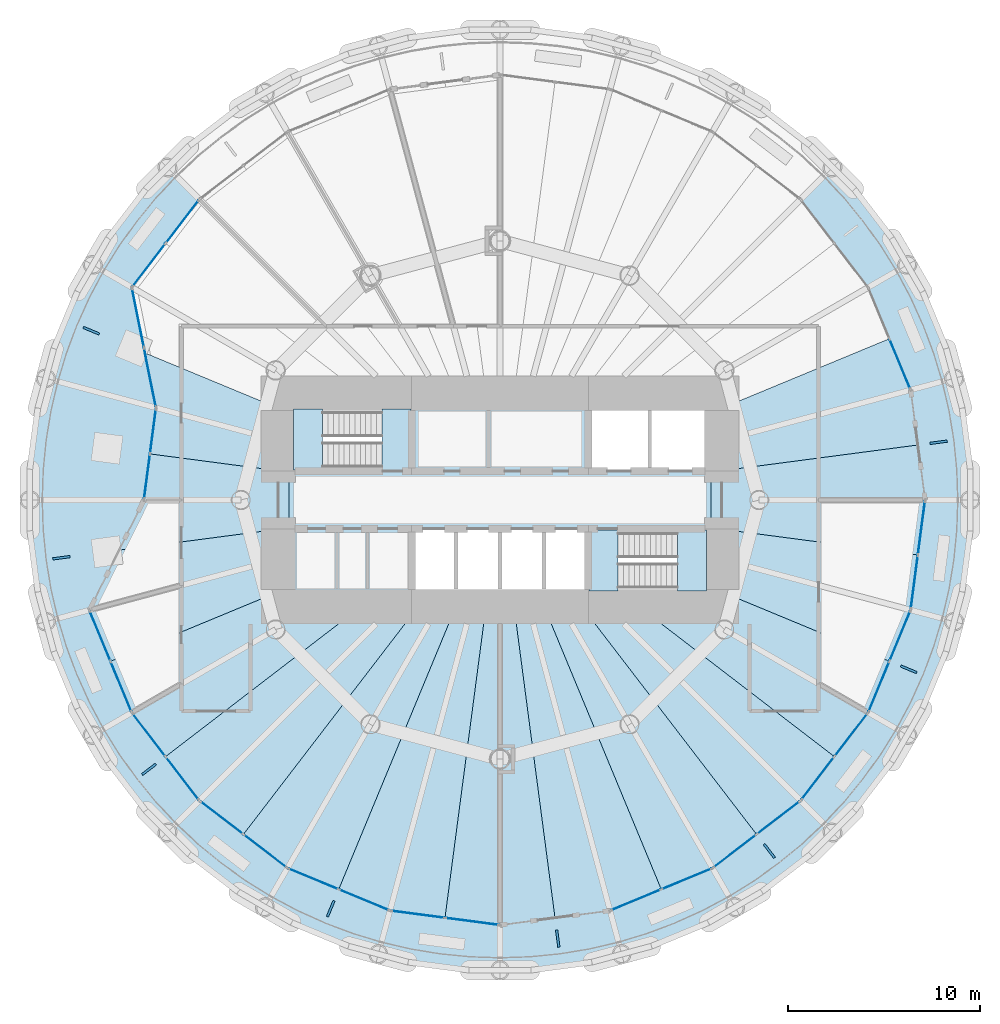
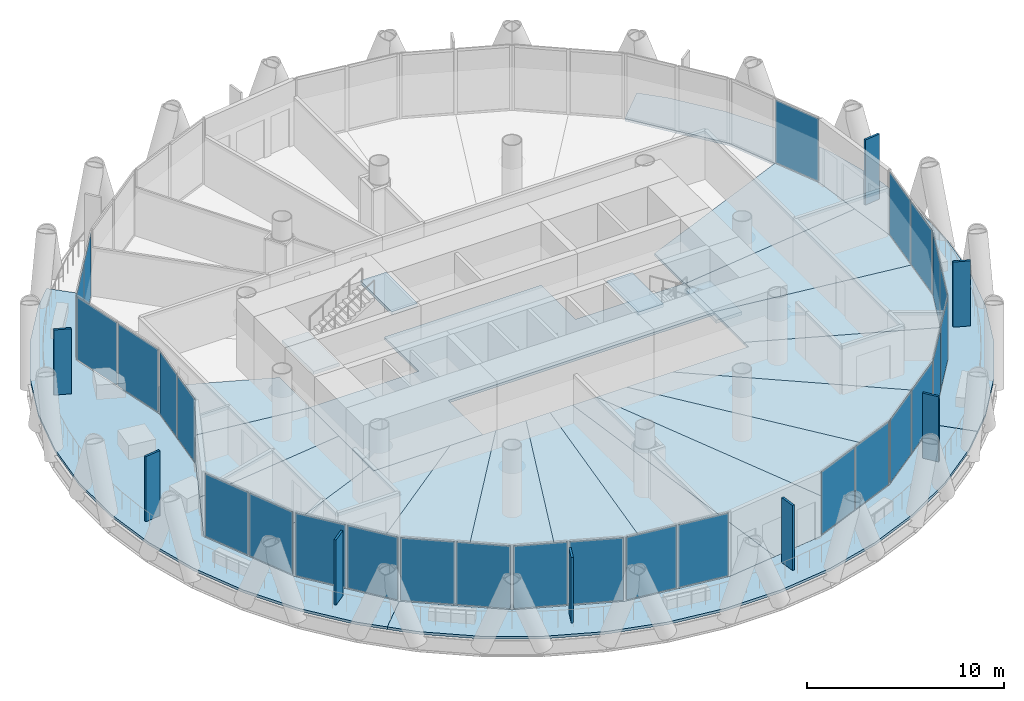
# One storey, part 8 of 16: 35 plates, 23 slabs, 16 elements without a shape of their own.
"""IFC4 building model written with IfcOpenShell, lengths in metres."""

import ifcopenshell
import ifcopenshell.guid

model = None  # the IFC model being written
_history = None  # IfcOwnerHistory: only IFC2X3 demands one
_inside = {}  # id of a spatial element -> (the spatial element, [elements in it])
_under = {}  # id of a project, library or spatial element -> (it, [spatial elements below it])
_declared = {}  # id of a project -> (the project, [libraries it declares])
_typed = {}  # id of a type object -> (the type object, [elements of that type])
_made_of = {}  # id of a material, layer set ... -> (it, [elements and type objects made of it])


def new_model(schema):
    """Start an empty IFC model of exactly this schema.

    Asked for "IFC4X3", IfcOpenShell would pick the latest addendum, in which some entities
    have other attributes; the version numbers below select the first issue.
    IFC2X3 requires an IfcOwnerHistory on every rooted entity: one is made here for all.
    """
    global model, _history
    if schema == "IFC4X3":
        model = ifcopenshell.file(schema_version=(4, 3, 0, 0))
    else:
        model = ifcopenshell.file(schema=schema)
    _inside.clear()
    _under.clear()
    _declared.clear()
    _typed.clear()
    _made_of.clear()
    _history = None
    if model.schema == "IFC2X3":
        org = make("IfcOrganization", Name="unknown")
        user = make(
            "IfcPersonAndOrganization",
            ThePerson=make("IfcPerson", FamilyName="unknown"),
            TheOrganization=org,
        )
        app = make(
            "IfcApplication",
            ApplicationDeveloper=org,
            Version="unknown",
            ApplicationFullName="unknown",
            ApplicationIdentifier="unknown",
        )
        _history = make(
            "IfcOwnerHistory",
            OwningUser=user,
            OwningApplication=app,
            ChangeAction="ADDED",
            CreationDate=0,
        )
    return model


def make(cls, **values):
    """One entity of the class cls with the attributes given. An attribute that is None is left unset."""
    return model.create_entity(
        cls, **{name: value for name, value in values.items() if value is not None}
    )


def rooted(cls, **values):
    """An entity with a GlobalId (a new one), such as an element, a storey or a relation."""
    return make(cls, GlobalId=ifcopenshell.guid.new(), OwnerHistory=_history, **values)


def si_unit(unit_type, name, prefix=None):
    """IfcSIUnit, for example si_unit("LENGTHUNIT", "METRE", prefix="MILLI")."""
    return make("IfcSIUnit", UnitType=unit_type, Prefix=prefix, Name=name)


def assignment(units):
    """IfcUnitAssignment: the units of a project."""
    return None if units is None else make("IfcUnitAssignment", Units=units)


def point(xyz):
    """IfcCartesianPoint."""
    return None if xyz is None else make("IfcCartesianPoint", Coordinates=xyz)


def direction(xyz):
    """IfcDirection."""
    return None if xyz is None else make("IfcDirection", DirectionRatios=xyz)


def frame(location, z_axis=None, x_axis=None):
    """IfcAxis2Placement3D, a coordinate frame: its origin and axes. An axis left out is left unset."""
    return make(
        "IfcAxis2Placement3D",
        Location=point(location),
        Axis=direction(z_axis),
        RefDirection=direction(x_axis),
    )


def frame_2d(location, x_axis=None):
    """IfcAxis2Placement2D, a coordinate frame in the plane: its origin and x axis."""
    return make(
        "IfcAxis2Placement2D", Location=point(location), RefDirection=direction(x_axis)
    )


def origin():
    """The frame at (0, 0, 0) with its axes left unset."""
    return frame((0.0, 0.0, 0.0))


def origin_2d():
    """The frame at (0, 0) in the plane with its x axis left unset."""
    return frame_2d((0.0, 0.0))


def place(relative_to, where):
    """IfcLocalPlacement: puts the frame where relative to a parent placement (None: the world)."""
    return make(
        "IfcLocalPlacement", PlacementRelTo=relative_to, RelativePlacement=where
    )


def context(
    kind, dimensions, precision=None, world=None, true_north=None, identifier=None
):
    """IfcGeometricRepresentationContext, for example the 3D "Model" context."""
    return make(
        "IfcGeometricRepresentationContext",
        ContextIdentifier=identifier,
        ContextType=kind,
        CoordinateSpaceDimension=dimensions,
        Precision=precision,
        WorldCoordinateSystem=world,
        TrueNorth=true_north,
    )


def subcontext(parent, identifier, kind, view, scale=None):
    """IfcGeometricRepresentationSubContext, for example "Body" below "Model"."""
    return make(
        "IfcGeometricRepresentationSubContext",
        ContextIdentifier=identifier,
        ContextType=kind,
        ParentContext=parent,
        TargetScale=scale,
        TargetView=view,
    )


def project(units=None, contexts=None):
    """IfcProject with its units and contexts."""
    return rooted(
        "IfcProject",
        Name="project",
        RepresentationContexts=contexts,
        UnitsInContext=assignment(units),
    )


def spatial(cls, under=None, at=None, **own):
    """A site, building, storey or space (cls), placed at a placement, below another one or the project."""
    s = rooted(cls, ObjectPlacement=at, **own)
    if under is not None:
        _under.setdefault(under.id(), (under, []))[1].append(s)
    return s


def polyline(points):
    """IfcPolyline through the points."""
    return make("IfcPolyline", Points=[point(p) for p in points])


def profile(cls, at=None, kind="AREA", **sizes):
    """A parametric profile (cls). Its sizes go by their IFC names, for example OverallWidth=200.0."""
    return make(cls, ProfileType=kind, Position=at, **sizes)


def rectangle(**sizes):
    """IfcRectangleProfileDef."""
    return profile("IfcRectangleProfileDef", **sizes)


def outline(outer, holes=None, kind="AREA"):
    """IfcArbitraryClosedProfileDef: a profile drawn as a closed curve; with holes, ...WithVoids."""
    if holes is None:
        return make("IfcArbitraryClosedProfileDef", ProfileType=kind, OuterCurve=outer)
    return make(
        "IfcArbitraryProfileDefWithVoids",
        ProfileType=kind,
        OuterCurve=outer,
        InnerCurves=holes,
    )


def extrude(swept, where, along, depth):
    """IfcExtrudedAreaSolid: the profile swept, set in the frame where, extruded along a direction by depth."""
    return make(
        "IfcExtrudedAreaSolid",
        SweptArea=swept,
        Position=where,
        ExtrudedDirection=direction(along),
        Depth=depth,
    )


def shape(context_of_items, identifier, shape_type, items):
    """IfcShapeRepresentation: the items that make up one representation, for example the "Body"."""
    return make(
        "IfcShapeRepresentation",
        ContextOfItems=context_of_items,
        RepresentationIdentifier=identifier,
        RepresentationType=shape_type,
        Items=items,
    )


def material(Name=None, Category=None):
    """IfcMaterial."""
    return make("IfcMaterial", Name=Name, Category=Category)


def layer(
    of_material, thickness, ventilated=None, Name=None, Category=None, Priority=None
):
    """IfcMaterialLayer: one layer of a wall or slab, of a material (None: an air gap)."""
    return make(
        "IfcMaterialLayer",
        Material=of_material,
        LayerThickness=thickness,
        IsVentilated=ventilated,
        Name=Name,
        Category=Category,
        Priority=Priority,
    )


def layer_set(layers, Name=None):
    """IfcMaterialLayerSet."""
    return make("IfcMaterialLayerSet", MaterialLayers=layers, LayerSetName=Name)


def made_of(thing, what):
    """Note that an element or type object is made of a material, layer set ...; save() writes the relation."""
    if what is not None:
        _made_of.setdefault(what.id(), (what, []))[1].append(thing)
    return thing


def type_object(cls, material=None, **own):
    """A type object (cls), such as IfcWallType, which elements share."""
    return made_of(rooted(cls, **own), material)


def element(
    cls,
    number,
    at=None,
    inside=None,
    cuts=None,
    type_object=None,
    material=None,
    context=None,
    identifier="Body",
    shape_type=None,
    held_by="IfcProductDefinitionShape",
    body=None,
    shapes=None,
    **own,
):
    """One element of the class cls, such as IfcWall. Its Tag is "e" and its number.

    at: its placement. inside: the storey or other place that contains it. cuts: it is an
    opening in that element (IfcRelVoidsElement). A single representation is given by context,
    identifier, shape_type and body (its items); several are given by shapes. held_by: the class
    of the entity that holds the representations. save() writes the other relations.
    """
    e = rooted(cls, Tag="e%d" % number, ObjectPlacement=at, **own)
    if body is not None:
        shapes = [shape(context, identifier, shape_type, body)]
    if shapes is not None:
        e.Representation = make(held_by, Representations=shapes)
    if inside is not None:
        _inside.setdefault(inside.id(), (inside, []))[1].append(e)
    if cuts is not None:
        rooted(
            "IfcRelVoidsElement", RelatingBuildingElement=cuts, RelatedOpeningElement=e
        )
    if type_object is not None:
        _typed.setdefault(type_object.id(), (type_object, []))[1].append(e)
    return made_of(e, material)


def aggregate(whole, parts):
    """IfcRelAggregates: a whole, such as a stair, and the parts it consists of."""
    return rooted("IfcRelAggregates", RelatingObject=whole, RelatedObjects=parts)


def save(model, path):
    """Write the relations noted so far, then the file.

    IfcRelAggregates (storeys below a building ...), IfcRelContainedInSpatialStructure (elements
    in a storey), IfcRelDefinesByType, IfcRelAssociatesMaterial and IfcRelDeclares: one each for
    every whole, place, type object, material and project.
    """
    for whole, parts in _under.values():
        aggregate(whole, parts)
    for where, things in _inside.values():
        rooted(
            "IfcRelContainedInSpatialStructure",
            RelatedElements=things,
            RelatingStructure=where,
        )
    for kind, things in _typed.values():
        rooted("IfcRelDefinesByType", RelatedObjects=things, RelatingType=kind)
    for what, things in _made_of.values():
        rooted("IfcRelAssociatesMaterial", RelatedObjects=things, RelatingMaterial=what)
    for by, libraries in _declared.values():
        rooted("IfcRelDeclares", RelatingContext=by, RelatedDefinitions=libraries)
    model.write(path)


model = new_model("IFC4")

# Units and contexts
model_context = context("Model", 3, precision=1e-05, world=origin(), true_north=direction((0.0, 1.0)))
body_context = subcontext(model_context, "Body", "Model", "MODEL_VIEW")
ifc_project = project(units=[si_unit("LENGTHUNIT", "METRE"), si_unit("AREAUNIT", "SQUARE_METRE"), si_unit("VOLUMEUNIT", "CUBIC_METRE"), si_unit("PLANEANGLEUNIT", "RADIAN"), si_unit("MASSUNIT", "GRAM", prefix="KILO")], contexts=[model_context])

# Site, building, storey
site_placement = place(None, origin())
site = spatial("IfcSite", under=ifc_project, at=site_placement, CompositionType="ELEMENT")
building_placement = place(site_placement, origin())
building = spatial("IfcBuilding", under=site, at=building_placement, Name="Qaws Media Tower", CompositionType="ELEMENT")
storey_placement = place(building_placement, frame((0.0, 0.0, 173.0)))
storey = spatial("IfcBuildingStorey", under=building, at=storey_placement, Name="L39", CompositionType="ELEMENT", Elevation=173.0)

# Slabs
ifc_material_1 = material(Name="Concrete C35/45", Category="concrete")
ifc_layer_1 = layer(ifc_material_1, 0.159912109375)
ifc_layer_set_1 = layer_set([ifc_layer_1], Name="Composite balcony slab 160")
slab_type_1 = type_object("IfcSlabType", Name="Composite balcony slab 160", PredefinedType="FLOOR", material=ifc_layer_set_1)
slab_1_placement = place(storey_placement, frame((0.0, 0.0, -0.159912109375)))
element("IfcSlab", 1, at=slab_1_placement, inside=storey, type_object=slab_type_1, Name="S2 balcony slab L39 R10 to R16, movement joints on R10 and R16", PredefinedType="FLOOR", context=body_context, shape_type="SweptSolid", body=[
    extrude(outline(polyline([(41.542236328125, 33.81298828125), (39.58740234375, 36.36083984375), (37.981689453125, 39.141845703125), (36.7529296875, 42.108642578125), (35.921630859375, 45.21044921875), (35.502685546875, 48.394287109375), (35.502685546875, 51.605712890625), (35.921630859375, 54.78955078125), (36.7529296875, 57.891357421875), (37.981689453125, 60.858154296875), (39.58740234375, 63.63916015625), (41.542236328125, 66.18701171875), (42.677734375, 67.322265625), (44.337646484375, 65.662353515625), (40.8173828125, 61.074951171875), (42.08203125, 54.801025390625), (41.449951171875, 50.0), (38.604736328125, 44.26708984375), (40.8173828125, 38.925048828125), (44.337646484375, 34.337646484375), (42.677734375, 32.677734375), (41.542236328125, 33.81298828125)])), origin(), (0.0, 0.0, 1.0), 0.159912109375),
])
slab_2_placement = place(storey_placement, frame((0.0, 0.0, -0.159912109375)))
element("IfcSlab", 2, at=slab_2_placement, inside=storey, type_object=slab_type_1, Name="S2 balcony slab L39 R16 to R22, movement joints on R16 and R22", PredefinedType="FLOOR", context=body_context, shape_type="SweptSolid", body=[
    extrude(outline(polyline([(76.18701171875, 31.542236328125), (73.63916015625, 29.58740234375), (70.858154296875, 27.981689453125), (67.891357421875, 26.7529296875), (64.78955078125, 25.921630859375), (61.605712890625, 25.502685546875), (58.394287109375, 25.502685546875), (55.21044921875, 25.921630859375), (52.108642578125, 26.7529296875), (49.141845703125, 27.981689453125), (46.36083984375, 29.58740234375), (43.81298828125, 31.542236328125), (42.677734375, 32.677734375), (44.337646484375, 34.337646484375), (48.925048828125, 30.8173828125), (54.26708984375, 28.604736328125), (60.0, 27.85009765625), (65.73291015625, 28.604736328125), (71.074951171875, 30.8173828125), (75.662353515625, 34.337646484375), (77.322265625, 32.677734375), (76.18701171875, 31.542236328125)])), origin(), (0.0, 0.0, 1.0), 0.159912109375),
])
slab_3_placement = place(storey_placement, frame((0.0, 0.0, -0.159912109375)))
element("IfcSlab", 3, at=slab_3_placement, inside=storey, type_object=slab_type_1, Name="S2 balcony slab L39 R22 to R04, movement joints on R22 and R04", PredefinedType="FLOOR", context=body_context, shape_type="SweptSolid", body=[
    extrude(outline(polyline([(84.078369140625, 45.21044921875), (83.2470703125, 42.108642578125), (82.018310546875, 39.141845703125), (80.41259765625, 36.36083984375), (78.457763671875, 33.81298828125), (77.322265625, 32.677734375), (75.662353515625, 34.337646484375), (79.1826171875, 38.925048828125), (81.395263671875, 44.26708984375), (82.14990234375, 50.0), (81.395263671875, 55.73291015625), (79.1826171875, 61.074951171875), (75.662353515625, 65.662353515625), (77.322265625, 67.322265625), (78.457763671875, 66.18701171875), (80.41259765625, 63.63916015625), (82.018310546875, 60.858154296875), (83.2470703125, 57.891357421875), (84.078369140625, 54.78955078125), (84.497314453125, 51.605712890625), (84.497314453125, 48.394287109375), (84.078369140625, 45.21044921875)])), origin(), (0.0, 0.0, 1.0), 0.159912109375),
])
ifc_material_2 = material(Name="Concrete C35/45", Category="concrete")
ifc_layer_2 = layer(ifc_material_2, 0.159912109375)
ifc_layer_set_2 = layer_set([ifc_layer_2], Name="Composite floor slab 160")
slab_type_2 = type_object("IfcSlabType", Name="Composite floor slab 160", PredefinedType="FLOOR", material=ifc_layer_set_2)
slab_4_placement = place(storey_placement, frame((0.0, 0.0, -0.159912109375)))
element("IfcSlab", 4, at=slab_4_placement, inside=storey, type_object=slab_type_2, Name="S1 core floor slab L39", PredefinedType="FLOOR", context=body_context, shape_type="SweptSolid", body=[
    extrude(outline(polyline([(71.0, 51.5), (71.0, 48.5), (55.39990234375, 48.5), (55.39990234375, 45.0), (49.0, 45.0), (49.0, 51.5), (55.39990234375, 51.5), (55.39990234375, 55.0), (64.60009765625, 55.0), (64.60009765625, 51.5), (71.0, 51.5)])), origin(), (0.0, 0.0, 1.0), 0.159912109375),
])
slab_5_placement = place(storey_placement, frame((0.0, 0.0, -0.159912109375)))
element("IfcSlab", 5, at=slab_5_placement, inside=storey, type_object=slab_type_2, Name="S1 floor panel L39 on R01", PredefinedType="FLOOR", context=body_context, shape_type="SweptSolid", body=[
    extrude(outline(polyline([(82.14990234375, 50.0), (81.772705078125, 47.133544921875), (71.0, 48.5517578125), (71.0, 51.4482421875), (81.772705078125, 52.866455078125), (82.14990234375, 50.0)])), origin(), (0.0, 0.0, 1.0), 0.159912109375),
])
slab_6_placement = place(storey_placement, frame((0.0, 0.0, -0.159912109375)))
element("IfcSlab", 6, at=slab_6_placement, inside=storey, type_object=slab_type_2, Name="S1 floor panel L39 on R02", PredefinedType="FLOOR", context=body_context, shape_type="SweptSolid", body=[
    extrude(outline(polyline([(81.395263671875, 55.73291015625), (81.772705078125, 52.866455078125), (71.0, 51.4482421875), (71.0, 54.556396484375), (80.288818359375, 58.40380859375), (81.395263671875, 55.73291015625)])), origin(), (0.0, 0.0, 1.0), 0.159912109375),
])
slab_7_placement = place(storey_placement, frame((0.0, 0.0, -0.159912109375)))
element("IfcSlab", 7, at=slab_7_placement, inside=storey, type_object=slab_type_2, Name="S1 floor panel L39 on R12", PredefinedType="FLOOR", context=body_context, shape_type="SweptSolid", body=[
    extrude(outline(polyline([(42.08203125, 54.801025390625), (41.505615234375, 57.66064453125), (49.0, 54.556396484375), (49.0, 51.4482421875), (41.76611328125, 52.400390625), (42.08203125, 54.801025390625)])), origin(), (0.0, 0.0, 1.0), 0.159912109375),
])
slab_8_placement = place(storey_placement, frame((0.0, 0.0, -0.159912109375)))
element("IfcSlab", 8, at=slab_8_placement, inside=storey, type_object=slab_type_2, Name="S1 floor panel L39 on R13", PredefinedType="FLOOR", context=body_context, shape_type="SweptSolid", body=[
    extrude(outline(polyline([(41.449951171875, 50.0), (41.76611328125, 52.400390625), (49.0, 51.4482421875), (49.0, 48.5517578125), (40.1533203125, 47.38720703125), (41.449951171875, 50.0)])), origin(), (0.0, 0.0, 1.0), 0.159912109375),
])
slab_9_placement = place(storey_placement, frame((0.0, 0.0, -0.159912109375)))
element("IfcSlab", 9, at=slab_9_placement, inside=storey, type_object=slab_type_2, Name="S1 floor panel L39 on R14", PredefinedType="FLOOR", context=body_context, shape_type="SweptSolid", body=[
    extrude(outline(polyline([(38.604736328125, 44.26708984375), (40.1533203125, 47.38720703125), (49.0, 48.5517578125), (49.0, 45.443603515625), (39.711181640625, 41.59619140625), (38.604736328125, 44.26708984375)])), origin(), (0.0, 0.0, 1.0), 0.159912109375),
])
slab_10_placement = place(storey_placement, frame((0.0, 0.0, -0.159912109375)))
element("IfcSlab", 10, at=slab_10_placement, inside=storey, type_object=slab_type_2, Name="S1 floor panel L39 on R15", PredefinedType="FLOOR", context=body_context, shape_type="SweptSolid", body=[
    extrude(outline(polyline([(40.8173828125, 38.925048828125), (39.711181640625, 41.59619140625), (49.0, 45.443603515625), (49.0, 45.0), (53.48388671875, 45.0), (42.57763671875, 36.63134765625), (40.8173828125, 38.925048828125)])), origin(), (0.0, 0.0, 1.0), 0.159912109375),
])
slab_11_placement = place(storey_placement, frame((0.0, 0.0, -0.159912109375)))
element("IfcSlab", 11, at=slab_11_placement, inside=storey, type_object=slab_type_2, Name="S1 floor panel L39 on R16", PredefinedType="FLOOR", context=body_context, shape_type="SweptSolid", body=[
    extrude(outline(polyline([(44.337646484375, 34.337646484375), (42.57763671875, 36.63134765625), (53.48388671875, 45.0), (56.163330078125, 45.0), (46.63134765625, 32.57763671875), (44.337646484375, 34.337646484375)])), origin(), (0.0, 0.0, 1.0), 0.159912109375),
])
slab_12_placement = place(storey_placement, frame((0.0, 0.0, -0.159912109375)))
element("IfcSlab", 12, at=slab_12_placement, inside=storey, type_object=slab_type_2, Name="S1 floor panel L39 on R17", PredefinedType="FLOOR", context=body_context, shape_type="SweptSolid", body=[
    extrude(outline(polyline([(48.925048828125, 30.8173828125), (46.63134765625, 32.57763671875), (56.163330078125, 45.0), (57.928955078125, 45.0), (51.59619140625, 29.711181640625), (48.925048828125, 30.8173828125)])), origin(), (0.0, 0.0, 1.0), 0.159912109375),
])
slab_13_placement = place(storey_placement, frame((0.0, 0.0, -0.159912109375)))
element("IfcSlab", 13, at=slab_13_placement, inside=storey, type_object=slab_type_2, Name="S1 floor panel L39 on R18", PredefinedType="FLOOR", context=body_context, shape_type="SweptSolid", body=[
    extrude(outline(polyline([(54.26708984375, 28.604736328125), (51.59619140625, 29.711181640625), (57.928955078125, 45.0), (59.341796875, 45.0), (57.133544921875, 28.227294921875), (54.26708984375, 28.604736328125)])), origin(), (0.0, 0.0, 1.0), 0.159912109375),
])
slab_14_placement = place(storey_placement, frame((0.0, 0.0, -0.159912109375)))
element("IfcSlab", 14, at=slab_14_placement, inside=storey, type_object=slab_type_2, Name="S1 floor panel L39 on R19", PredefinedType="FLOOR", context=body_context, shape_type="SweptSolid", body=[
    extrude(outline(polyline([(60.0, 27.85009765625), (57.133544921875, 28.227294921875), (59.341796875, 45.0), (60.658203125, 45.0), (62.866455078125, 28.227294921875), (60.0, 27.85009765625)])), origin(), (0.0, 0.0, 1.0), 0.159912109375),
])
slab_15_placement = place(storey_placement, frame((0.0, 0.0, -0.159912109375)))
element("IfcSlab", 15, at=slab_15_placement, inside=storey, type_object=slab_type_2, Name="S1 floor panel L39 on R20", PredefinedType="FLOOR", context=body_context, shape_type="SweptSolid", body=[
    extrude(outline(polyline([(65.73291015625, 28.604736328125), (62.866455078125, 28.227294921875), (60.658203125, 45.0), (62.071044921875, 45.0), (68.40380859375, 29.711181640625), (65.73291015625, 28.604736328125)])), origin(), (0.0, 0.0, 1.0), 0.159912109375),
])
slab_16_placement = place(storey_placement, frame((0.0, 0.0, -0.159912109375)))
element("IfcSlab", 16, at=slab_16_placement, inside=storey, type_object=slab_type_2, Name="S1 floor panel L39 on R21", PredefinedType="FLOOR", context=body_context, shape_type="SweptSolid", body=[
    extrude(outline(polyline([(71.074951171875, 30.8173828125), (68.40380859375, 29.711181640625), (62.071044921875, 45.0), (63.836669921875, 45.0), (73.36865234375, 32.57763671875), (71.074951171875, 30.8173828125)])), origin(), (0.0, 0.0, 1.0), 0.159912109375),
])
slab_17_placement = place(storey_placement, frame((0.0, 0.0, -0.159912109375)))
element("IfcSlab", 17, at=slab_17_placement, inside=storey, type_object=slab_type_2, Name="S1 floor panel L39 on R22", PredefinedType="FLOOR", context=body_context, shape_type="SweptSolid", body=[
    extrude(outline(polyline([(75.662353515625, 34.337646484375), (73.36865234375, 32.57763671875), (63.836669921875, 45.0), (66.51611328125, 45.0), (77.42236328125, 36.63134765625), (75.662353515625, 34.337646484375)])), origin(), (0.0, 0.0, 1.0), 0.159912109375),
])
slab_18_placement = place(storey_placement, frame((0.0, 0.0, -0.159912109375)))
element("IfcSlab", 18, at=slab_18_placement, inside=storey, type_object=slab_type_2, Name="S1 floor panel L39 on R23", PredefinedType="FLOOR", context=body_context, shape_type="SweptSolid", body=[
    extrude(outline(polyline([(79.1826171875, 38.925048828125), (77.42236328125, 36.63134765625), (66.51611328125, 45.0), (71.0, 45.0), (71.0, 45.443603515625), (80.288818359375, 41.59619140625), (79.1826171875, 38.925048828125)])), origin(), (0.0, 0.0, 1.0), 0.159912109375),
])
slab_19_placement = place(storey_placement, frame((0.0, 0.0, -0.159912109375)))
element("IfcSlab", 19, at=slab_19_placement, inside=storey, type_object=slab_type_2, Name="S1 floor panel L39 on R24", PredefinedType="FLOOR", context=body_context, shape_type="SweptSolid", body=[
    extrude(outline(polyline([(80.288818359375, 41.59619140625), (71.0, 45.443603515625), (71.0, 48.5517578125), (81.772705078125, 47.133544921875), (81.395263671875, 44.26708984375), (80.288818359375, 41.59619140625)])), origin(), (0.0, 0.0, 1.0), 0.159912109375),
])

# Curtain wall, plate
ifc_material_3 = material(Name="Aluminium and clear glass", Category="aluminium")
curtain_wall_type_1 = type_object("IfcCurtainWallType", Name="Unitised curtain wall CW-B", PredefinedType="NOTDEFINED", material=ifc_material_3)
curtain_wall_1_placement = place(storey_placement, origin())
curtain_wall_1 = element("IfcCurtainWall", 20, at=curtain_wall_1_placement, inside=storey, type_object=curtain_wall_type_1, Name="CWB curtain wall L39-02", PredefinedType="NOTDEFINED")
ifc_material_4 = material(Name="Clear laminated double glazing", Category="glass")
ifc_layer_3 = layer(ifc_material_4, 0.031982421875)
ifc_layer_set_3 = layer_set([ifc_layer_3], Name="Curtain wall glass unit 32")
plate_type_1 = type_object("IfcPlateType", Name="Curtain wall glass unit 32", PredefinedType="CURTAIN_PANEL", material=ifc_layer_set_3)
plate_1_placement = place(storey_placement, frame((80.83447265625, 57.0869140625, 0.080078125), z_axis=(0.0, 0.0, 1.0), x_axis=(-0.382683388683, 0.923879550605, 0.0)))
plate_1 = element("IfcPlate", 21, at=plate_1_placement, type_object=plate_type_1, Name="CWB panel 1.1", PredefinedType="CURTAIN_PANEL", context=body_context, shape_type="SweptSolid", body=[
    extrude(rectangle(XDim=2.771240234375, YDim=0.031982421875, at=origin_2d()), origin(), (0.0, 0.0, 1.0), 3.8798828125),
])
aggregate(curtain_wall_1, [plate_1])

# Curtain wall, plates
curtain_wall_2_placement = place(storey_placement, origin())
curtain_wall_2 = element("IfcCurtainWall", 22, at=curtain_wall_2_placement, inside=storey, type_object=curtain_wall_type_1, Name="CWB curtain wall L39-10", PredefinedType="NOTDEFINED")
plate_2_placement = place(storey_placement, frame((43.4453125, 64.499755859375, 0.080078125), z_axis=(0.0, 0.0, 1.0), x_axis=(-0.60876150144, -0.793353284712, 0.0)))
plate_2 = element("IfcPlate", 23, at=plate_2_placement, type_object=plate_type_1, Name="CWB panel 1.1", PredefinedType="CURTAIN_PANEL", context=body_context, shape_type="SweptSolid", body=[
    extrude(rectangle(XDim=2.771240234375, YDim=0.031982421875, at=origin_2d()), origin(), (0.0, 0.0, 1.0), 3.8798828125),
])
plate_3_placement = place(storey_placement, frame((41.709716796875, 62.23779296875, 0.080078125), z_axis=(0.0, 0.0, 1.0), x_axis=(-0.60876150144, -0.793353284712, 0.0)))
plate_3 = element("IfcPlate", 24, at=plate_3_placement, type_object=plate_type_1, Name="CWB panel 2.1", PredefinedType="CURTAIN_PANEL", context=body_context, shape_type="SweptSolid", body=[
    extrude(rectangle(XDim=2.771240234375, YDim=0.031982421875, at=origin_2d()), origin(), (0.0, 0.0, 1.0), 3.8798828125),
])
aggregate(curtain_wall_2, [plate_2, plate_3])

ifc_material_5 = material(Name="Aluminium and clear glass", Category="aluminium")
curtain_wall_type_2 = type_object("IfcCurtainWallType", Name="Loggia curtain wall CW-G", PredefinedType="NOTDEFINED", material=ifc_material_5)
curtain_wall_3_placement = place(storey_placement, origin())
curtain_wall_3 = element("IfcCurtainWall", 25, at=curtain_wall_3_placement, inside=storey, type_object=curtain_wall_type_2, Name="CWG curtain wall L39-11", PredefinedType="NOTDEFINED")
plate_4_placement = place(storey_placement, frame((41.1376953125, 59.48681640625, 0.080078125), z_axis=(0.0, 0.0, 1.0), x_axis=(0.197581884235, -0.980286386227, 0.0)))
plate_4 = element("IfcPlate", 26, at=plate_4_placement, type_object=plate_type_1, Name="CWG panel 1.1", PredefinedType="CURTAIN_PANEL", context=body_context, shape_type="SweptSolid", body=[
    extrude(rectangle(XDim=3.080078125, YDim=0.031982421875, at=origin_2d()), origin(), (0.0, 0.0, 1.0), 3.8798828125),
])
plate_5_placement = place(storey_placement, frame((41.761962890625, 56.38916015625, 0.080078125), z_axis=(0.0, 0.0, 1.0), x_axis=(0.197581884235, -0.980286386227, 0.0)))
plate_5 = element("IfcPlate", 27, at=plate_5_placement, type_object=plate_type_1, Name="CWG panel 2.1", PredefinedType="CURTAIN_PANEL", context=body_context, shape_type="SweptSolid", body=[
    extrude(rectangle(XDim=3.080078125, YDim=0.031982421875, at=origin_2d()), origin(), (0.0, 0.0, 1.0), 3.8798828125),
])
aggregate(curtain_wall_3, [plate_4, plate_5])

curtain_wall_4_placement = place(storey_placement, origin())
curtain_wall_4 = element("IfcCurtainWall", 28, at=curtain_wall_4_placement, inside=storey, type_object=curtain_wall_type_2, Name="CWG curtain wall L39-12", PredefinedType="NOTDEFINED")
plate_6_placement = place(storey_placement, frame((41.92138671875, 53.5810546875, 0.080078125), z_axis=(0.0, 0.0, 1.0), x_axis=(-0.13052621565, -0.991444858289, 0.0)))
plate_6 = element("IfcPlate", 29, at=plate_6_placement, type_object=plate_type_1, Name="CWG panel 1.1", PredefinedType="CURTAIN_PANEL", context=body_context, shape_type="SweptSolid", body=[
    extrude(rectangle(XDim=2.30126953125, YDim=0.031982421875, at=origin_2d()), origin(), (0.0, 0.0, 1.0), 3.8798828125),
])
plate_7_placement = place(storey_placement, frame((41.610595703125, 51.22021484375, 0.080078125), z_axis=(0.0, 0.0, 1.0), x_axis=(-0.13052621565, -0.991444858289, 0.0)))
plate_7 = element("IfcPlate", 30, at=plate_7_placement, type_object=plate_type_1, Name="CWG panel 2.1", PredefinedType="CURTAIN_PANEL", context=body_context, shape_type="SweptSolid", body=[
    extrude(rectangle(XDim=2.30126953125, YDim=0.031982421875, at=origin_2d()), origin(), (0.0, 0.0, 1.0), 3.8798828125),
])
aggregate(curtain_wall_4, [plate_6, plate_7])

curtain_wall_5_placement = place(storey_placement, origin())
curtain_wall_5 = element("IfcCurtainWall", 31, at=curtain_wall_5_placement, inside=storey, type_object=curtain_wall_type_1, Name="CWB curtain wall L39-14", PredefinedType="NOTDEFINED")
plate_8_placement = place(storey_placement, frame((39.16552734375, 42.9130859375, 0.080078125), z_axis=(0.0, 0.0, 1.0), x_axis=(0.382683388683, -0.923879550605, 0.0)))
plate_8 = element("IfcPlate", 32, at=plate_8_placement, type_object=plate_type_1, Name="CWB panel 1.1", PredefinedType="CURTAIN_PANEL", context=body_context, shape_type="SweptSolid", body=[
    extrude(rectangle(XDim=2.771240234375, YDim=0.031982421875, at=origin_2d()), origin(), (0.0, 0.0, 1.0), 3.8798828125),
])
plate_9_placement = place(storey_placement, frame((40.256591796875, 40.279052734375, 0.080078125), z_axis=(0.0, 0.0, 1.0), x_axis=(0.382683388683, -0.923879550605, 0.0)))
plate_9 = element("IfcPlate", 33, at=plate_9_placement, type_object=plate_type_1, Name="CWB panel 2.1", PredefinedType="CURTAIN_PANEL", context=body_context, shape_type="SweptSolid", body=[
    extrude(rectangle(XDim=2.771240234375, YDim=0.031982421875, at=origin_2d()), origin(), (0.0, 0.0, 1.0), 3.8798828125),
])
aggregate(curtain_wall_5, [plate_8, plate_9])

curtain_wall_6_placement = place(storey_placement, origin())
curtain_wall_6 = element("IfcCurtainWall", 34, at=curtain_wall_6_placement, inside=storey, type_object=curtain_wall_type_1, Name="CWB curtain wall L39-15", PredefinedType="NOTDEFINED")
plate_10_placement = place(storey_placement, frame((41.709716796875, 37.76220703125, 0.080078125), z_axis=(0.0, 0.0, 1.0), x_axis=(0.60876150144, -0.793353284712, 0.0)))
plate_10 = element("IfcPlate", 35, at=plate_10_placement, type_object=plate_type_1, Name="CWB panel 1.1", PredefinedType="CURTAIN_PANEL", context=body_context, shape_type="SweptSolid", body=[
    extrude(rectangle(XDim=2.771240234375, YDim=0.031982421875, at=origin_2d()), origin(), (0.0, 0.0, 1.0), 3.8798828125),
])
plate_11_placement = place(storey_placement, frame((43.4453125, 35.500244140625, 0.080078125), z_axis=(0.0, 0.0, 1.0), x_axis=(0.60876150144, -0.793353284712, 0.0)))
plate_11 = element("IfcPlate", 36, at=plate_11_placement, type_object=plate_type_1, Name="CWB panel 2.1", PredefinedType="CURTAIN_PANEL", context=body_context, shape_type="SweptSolid", body=[
    extrude(rectangle(XDim=2.771240234375, YDim=0.031982421875, at=origin_2d()), origin(), (0.0, 0.0, 1.0), 3.8798828125),
])
aggregate(curtain_wall_6, [plate_10, plate_11])

curtain_wall_7_placement = place(storey_placement, origin())
curtain_wall_7 = element("IfcCurtainWall", 37, at=curtain_wall_7_placement, inside=storey, type_object=curtain_wall_type_1, Name="CWB curtain wall L39-16", PredefinedType="NOTDEFINED")
plate_12_placement = place(storey_placement, frame((45.500244140625, 33.4453125, 0.080078125), z_axis=(0.0, 0.0, 1.0), x_axis=(0.793353284712, -0.60876150144, 0.0)))
plate_12 = element("IfcPlate", 38, at=plate_12_placement, type_object=plate_type_1, Name="CWB panel 1.1", PredefinedType="CURTAIN_PANEL", context=body_context, shape_type="SweptSolid", body=[
    extrude(rectangle(XDim=2.771240234375, YDim=0.031982421875, at=origin_2d()), origin(), (0.0, 0.0, 1.0), 3.8798828125),
])
plate_13_placement = place(storey_placement, frame((47.76220703125, 31.709716796875, 0.080078125), z_axis=(0.0, 0.0, 1.0), x_axis=(0.793353284712, -0.60876150144, 0.0)))
plate_13 = element("IfcPlate", 39, at=plate_13_placement, type_object=plate_type_1, Name="CWB panel 2.1", PredefinedType="CURTAIN_PANEL", context=body_context, shape_type="SweptSolid", body=[
    extrude(rectangle(XDim=2.771240234375, YDim=0.031982421875, at=origin_2d()), origin(), (0.0, 0.0, 1.0), 3.8798828125),
])
aggregate(curtain_wall_7, [plate_12, plate_13])

curtain_wall_8_placement = place(storey_placement, origin())
curtain_wall_8 = element("IfcCurtainWall", 40, at=curtain_wall_8_placement, inside=storey, type_object=curtain_wall_type_1, Name="CWB curtain wall L39-17", PredefinedType="NOTDEFINED")
plate_14_placement = place(storey_placement, frame((50.279052734375, 30.256591796875, 0.080078125), z_axis=(0.0, 0.0, 1.0), x_axis=(0.923879550605, -0.382683388683, 0.0)))
plate_14 = element("IfcPlate", 41, at=plate_14_placement, type_object=plate_type_1, Name="CWB panel 1.1", PredefinedType="CURTAIN_PANEL", context=body_context, shape_type="SweptSolid", body=[
    extrude(rectangle(XDim=2.771240234375, YDim=0.031982421875, at=origin_2d()), origin(), (0.0, 0.0, 1.0), 3.8798828125),
])
plate_15_placement = place(storey_placement, frame((52.9130859375, 29.16552734375, 0.080078125), z_axis=(0.0, 0.0, 1.0), x_axis=(0.923879550605, -0.382683388683, 0.0)))
plate_15 = element("IfcPlate", 42, at=plate_15_placement, type_object=plate_type_1, Name="CWB panel 2.1", PredefinedType="CURTAIN_PANEL", context=body_context, shape_type="SweptSolid", body=[
    extrude(rectangle(XDim=2.771240234375, YDim=0.031982421875, at=origin_2d()), origin(), (0.0, 0.0, 1.0), 3.8798828125),
])
aggregate(curtain_wall_8, [plate_14, plate_15])

curtain_wall_9_placement = place(storey_placement, origin())
curtain_wall_9 = element("IfcCurtainWall", 43, at=curtain_wall_9_placement, inside=storey, type_object=curtain_wall_type_1, Name="CWB curtain wall L39-18", PredefinedType="NOTDEFINED")
plate_16_placement = place(storey_placement, frame((55.72021484375, 28.413330078125, 0.080078125), z_axis=(0.0, 0.0, 1.0), x_axis=(0.991444860647, -0.13052619774, 0.0)))
plate_16 = element("IfcPlate", 44, at=plate_16_placement, type_object=plate_type_1, Name="CWB panel 1.1", PredefinedType="CURTAIN_PANEL", context=body_context, shape_type="SweptSolid", body=[
    extrude(rectangle(XDim=2.771240234375, YDim=0.031982421875, at=origin_2d()), origin(), (0.0, 0.0, 1.0), 3.8798828125),
])
plate_17_placement = place(storey_placement, frame((58.546875, 28.041259765625, 0.080078125), z_axis=(0.0, 0.0, 1.0), x_axis=(0.991444860647, -0.13052619774, 0.0)))
plate_17 = element("IfcPlate", 45, at=plate_17_placement, type_object=plate_type_1, Name="CWB panel 2.1", PredefinedType="CURTAIN_PANEL", context=body_context, shape_type="SweptSolid", body=[
    extrude(rectangle(XDim=2.771240234375, YDim=0.031982421875, at=origin_2d()), origin(), (0.0, 0.0, 1.0), 3.8798828125),
])
aggregate(curtain_wall_9, [plate_16, plate_17])

curtain_wall_10_placement = place(storey_placement, origin())
curtain_wall_10 = element("IfcCurtainWall", 46, at=curtain_wall_10_placement, inside=storey, type_object=curtain_wall_type_1, Name="CWB curtain wall L39-20", PredefinedType="NOTDEFINED")
plate_18_placement = place(storey_placement, frame((67.0869140625, 29.16552734375, 0.080078125), z_axis=(0.0, 0.0, 1.0), x_axis=(0.923879550605, 0.382683388683, 0.0)))
plate_18 = element("IfcPlate", 47, at=plate_18_placement, type_object=plate_type_1, Name="CWB panel 1.1", PredefinedType="CURTAIN_PANEL", context=body_context, shape_type="SweptSolid", body=[
    extrude(rectangle(XDim=2.771240234375, YDim=0.031982421875, at=origin_2d()), origin(), (0.0, 0.0, 1.0), 3.8798828125),
])
plate_19_placement = place(storey_placement, frame((69.720947265625, 30.256591796875, 0.080078125), z_axis=(0.0, 0.0, 1.0), x_axis=(0.923879550605, 0.382683388683, 0.0)))
plate_19 = element("IfcPlate", 48, at=plate_19_placement, type_object=plate_type_1, Name="CWB panel 2.1", PredefinedType="CURTAIN_PANEL", context=body_context, shape_type="SweptSolid", body=[
    extrude(rectangle(XDim=2.771240234375, YDim=0.031982421875, at=origin_2d()), origin(), (0.0, 0.0, 1.0), 3.8798828125),
])
aggregate(curtain_wall_10, [plate_18, plate_19])

curtain_wall_11_placement = place(storey_placement, origin())
curtain_wall_11 = element("IfcCurtainWall", 49, at=curtain_wall_11_placement, inside=storey, type_object=curtain_wall_type_1, Name="CWB curtain wall L39-21", PredefinedType="NOTDEFINED")
plate_20_placement = place(storey_placement, frame((72.23779296875, 31.709716796875, 0.080078125), z_axis=(0.0, 0.0, 1.0), x_axis=(0.793353284712, 0.60876150144, 0.0)))
plate_20 = element("IfcPlate", 50, at=plate_20_placement, type_object=plate_type_1, Name="CWB panel 1.1", PredefinedType="CURTAIN_PANEL", context=body_context, shape_type="SweptSolid", body=[
    extrude(rectangle(XDim=2.771240234375, YDim=0.031982421875, at=origin_2d()), origin(), (0.0, 0.0, 1.0), 3.8798828125),
])
plate_21_placement = place(storey_placement, frame((74.499755859375, 33.4453125, 0.080078125), z_axis=(0.0, 0.0, 1.0), x_axis=(0.793353284712, 0.60876150144, 0.0)))
plate_21 = element("IfcPlate", 51, at=plate_21_placement, type_object=plate_type_1, Name="CWB panel 2.1", PredefinedType="CURTAIN_PANEL", context=body_context, shape_type="SweptSolid", body=[
    extrude(rectangle(XDim=2.771240234375, YDim=0.031982421875, at=origin_2d()), origin(), (0.0, 0.0, 1.0), 3.8798828125),
])
aggregate(curtain_wall_11, [plate_20, plate_21])

curtain_wall_12_placement = place(storey_placement, origin())
curtain_wall_12 = element("IfcCurtainWall", 52, at=curtain_wall_12_placement, inside=storey, type_object=curtain_wall_type_1, Name="CWB curtain wall L39-22", PredefinedType="NOTDEFINED")
plate_22_placement = place(storey_placement, frame((76.5546875, 35.500244140625, 0.080078125), z_axis=(0.0, 0.0, 1.0), x_axis=(0.60876150144, 0.793353284712, 0.0)))
plate_22 = element("IfcPlate", 53, at=plate_22_placement, type_object=plate_type_1, Name="CWB panel 1.1", PredefinedType="CURTAIN_PANEL", context=body_context, shape_type="SweptSolid", body=[
    extrude(rectangle(XDim=2.771240234375, YDim=0.031982421875, at=origin_2d()), origin(), (0.0, 0.0, 1.0), 3.8798828125),
])
plate_23_placement = place(storey_placement, frame((78.290283203125, 37.76220703125, 0.080078125), z_axis=(0.0, 0.0, 1.0), x_axis=(0.60876150144, 0.793353284712, 0.0)))
plate_23 = element("IfcPlate", 54, at=plate_23_placement, type_object=plate_type_1, Name="CWB panel 2.1", PredefinedType="CURTAIN_PANEL", context=body_context, shape_type="SweptSolid", body=[
    extrude(rectangle(XDim=2.771240234375, YDim=0.031982421875, at=origin_2d()), origin(), (0.0, 0.0, 1.0), 3.8798828125),
])
aggregate(curtain_wall_12, [plate_22, plate_23])

curtain_wall_13_placement = place(storey_placement, origin())
curtain_wall_13 = element("IfcCurtainWall", 55, at=curtain_wall_13_placement, inside=storey, type_object=curtain_wall_type_1, Name="CWB curtain wall L39-23", PredefinedType="NOTDEFINED")
plate_24_placement = place(storey_placement, frame((79.743408203125, 40.279052734375, 0.080078125), z_axis=(0.0, 0.0, 1.0), x_axis=(0.382683388683, 0.923879550605, 0.0)))
plate_24 = element("IfcPlate", 56, at=plate_24_placement, type_object=plate_type_1, Name="CWB panel 1.1", PredefinedType="CURTAIN_PANEL", context=body_context, shape_type="SweptSolid", body=[
    extrude(rectangle(XDim=2.771240234375, YDim=0.031982421875, at=origin_2d()), origin(), (0.0, 0.0, 1.0), 3.8798828125),
])
plate_25_placement = place(storey_placement, frame((80.83447265625, 42.9130859375, 0.080078125), z_axis=(0.0, 0.0, 1.0), x_axis=(0.382683388683, 0.923879550605, 0.0)))
plate_25 = element("IfcPlate", 57, at=plate_25_placement, type_object=plate_type_1, Name="CWB panel 2.1", PredefinedType="CURTAIN_PANEL", context=body_context, shape_type="SweptSolid", body=[
    extrude(rectangle(XDim=2.771240234375, YDim=0.031982421875, at=origin_2d()), origin(), (0.0, 0.0, 1.0), 3.8798828125),
])
aggregate(curtain_wall_13, [plate_24, plate_25])

curtain_wall_14_placement = place(storey_placement, origin())
curtain_wall_14 = element("IfcCurtainWall", 58, at=curtain_wall_14_placement, inside=storey, type_object=curtain_wall_type_1, Name="CWB curtain wall L39-24", PredefinedType="NOTDEFINED")
plate_26_placement = place(storey_placement, frame((81.586669921875, 45.72021484375, 0.080078125), z_axis=(0.0, 0.0, 1.0), x_axis=(0.13052619774, 0.991444860647, 0.0)))
plate_26 = element("IfcPlate", 59, at=plate_26_placement, type_object=plate_type_1, Name="CWB panel 1.1", PredefinedType="CURTAIN_PANEL", context=body_context, shape_type="SweptSolid", body=[
    extrude(rectangle(XDim=2.771240234375, YDim=0.031982421875, at=origin_2d()), origin(), (0.0, 0.0, 1.0), 3.8798828125),
])
plate_27_placement = place(storey_placement, frame((81.958740234375, 48.546875, 0.080078125), z_axis=(0.0, 0.0, 1.0), x_axis=(0.13052619774, 0.991444860647, 0.0)))
plate_27 = element("IfcPlate", 60, at=plate_27_placement, type_object=plate_type_1, Name="CWB panel 2.1", PredefinedType="CURTAIN_PANEL", context=body_context, shape_type="SweptSolid", body=[
    extrude(rectangle(XDim=2.771240234375, YDim=0.031982421875, at=origin_2d()), origin(), (0.0, 0.0, 1.0), 3.8798828125),
])
aggregate(curtain_wall_14, [plate_26, plate_27])

# Plates
ifc_material_6 = material(Name="Precast concrete screen fin", Category="concrete")
ifc_layer_4 = layer(ifc_material_6, 0.1201171875)
ifc_layer_set_4 = layer_set([ifc_layer_4], Name="Screen fin 120x900")
plate_type_2 = type_object("IfcPlateType", Name="Screen fin 120x900", PredefinedType="USERDEFINED", material=ifc_layer_set_4)
for number, where, z_axis, x_axis, name in (
    (61, (82.852783203125, 53.008544921875, 0.0), (0.0, 0.0, 1.0), (0.991444861374, 0.13052619222, 0.0), "SCR1 screen fin L39-01"),
    (62, (38.70458984375, 58.82080078125, 0.0), (0.0, 0.0, 1.0), (-0.923879532511, 0.382683432365, 0.0), "SCR1 screen fin L39-06"),
    (63, (37.147216796875, 46.991455078125, 0.0), (0.0, 0.0, 1.0), (-0.991444861374, -0.13052619222, 0.0), "SCR1 screen fin L39-07"),
    (64, (41.713134765625, 35.968017578125, 0.0), (0.0, 0.0, 1.0), (-0.793353340291, -0.608761429009, 0.0), "SCR1 screen fin L39-08"),
    (65, (51.17919921875, 28.70458984375, 0.0), (0.0, 0.0, 1.0), (-0.382683432365, -0.923879532511, 0.0), "SCR1 screen fin L39-09"),
    (66, (63.008544921875, 27.147216796875, 0.0), (0.0, 0.0, 1.0), (0.13052619222, -0.991444861374, 0.0), "SCR1 screen fin L39-10"),
    (67, (74.031982421875, 31.713134765625, 0.0), (0.0, 0.0, 1.0), (0.608761429009, -0.793353340291, 0.0), "SCR1 screen fin L39-11"),
    (68, (81.29541015625, 41.17919921875, 0.0), (0.0, 0.0, 1.0), (0.923879532511, -0.382683432365, 0.0), "SCR1 screen fin L39-12"),
):
    element("IfcPlate", number, at=place(storey_placement, frame(where, z_axis=z_axis, x_axis=x_axis)), inside=storey, type_object=plate_type_2, Name=name, ObjectType="SCREEN", PredefinedType="USERDEFINED", context=body_context, shape_type="SweptSolid", body=[
        extrude(rectangle(XDim=0.89990234375, YDim=0.1201171875, at=origin_2d()), origin(), (0.0, 0.0, 1.0), 4.0400390625),
    ])

# Stair, slabs
ifc_material_7 = material(Name="Concrete C40/50", Category="concrete")
stair_type = type_object("IfcStairType", Name="Exit stair", PredefinedType="HALF_TURN_STAIR", material=ifc_material_7)
stair_1_placement = place(storey_placement, origin())
stair_1 = element("IfcStair", 69, at=stair_1_placement, inside=storey, type_object=stair_type, Name="S1 exit stair L39", PredefinedType="HALF_TURN_STAIR")
ifc_material_8 = material(Name="Concrete C40/50", Category="concrete")
ifc_layer_5 = layer(ifc_material_8, 0.199951171875)
ifc_layer_set_5 = layer_set([ifc_layer_5], Name="Stair landing 200")
slab_type_3 = type_object("IfcSlabType", Name="Stair landing 200", PredefinedType="LANDING", material=ifc_layer_set_5)
slab_20_placement = place(storey_placement, frame((0.0, 0.0, 1.89990234375)))
slab_20 = element("IfcSlab", 70, at=slab_20_placement, type_object=slab_type_3, Name="S1 landing 1", PredefinedType="LANDING", context=body_context, shape_type="SweptSolid", body=[
    extrude(outline(polyline([(49.25, 51.550048828125), (50.760009765625, 51.550048828125), (50.760009765625, 54.75), (49.25, 54.75), (49.25, 51.550048828125)])), origin(), (0.0, 0.0, 1.0), 0.2001953125),
])
slab_21_placement = place(storey_placement, frame((0.0, 0.0, 4.0)))
slab_21 = element("IfcSlab", 71, at=slab_21_placement, type_object=slab_type_3, Name="S1 landing 2", PredefinedType="LANDING", context=body_context, shape_type="SweptSolid", body=[
    extrude(outline(polyline([(53.840087890625, 51.550048828125), (55.35009765625, 51.550048828125), (55.35009765625, 54.75), (53.840087890625, 54.75), (53.840087890625, 51.550048828125)])), origin(), (0.0, 0.0, 1.0), 0.199951171875),
])
aggregate(stair_1, [slab_20, slab_21])

stair_2_placement = place(storey_placement, origin())
stair_2 = element("IfcStair", 72, at=stair_2_placement, inside=storey, type_object=stair_type, Name="S2 exit stair L39", PredefinedType="HALF_TURN_STAIR")
slab_22_placement = place(storey_placement, frame((0.0, 0.0, 1.89990234375)))
slab_22 = element("IfcSlab", 73, at=slab_22_placement, type_object=slab_type_3, Name="S2 landing 1", PredefinedType="LANDING", context=body_context, shape_type="SweptSolid", body=[
    extrude(outline(polyline([(69.239990234375, 45.25), (70.75, 45.25), (70.75, 48.449951171875), (69.239990234375, 48.449951171875), (69.239990234375, 45.25)])), origin(), (0.0, 0.0, 1.0), 0.2001953125),
])
slab_23_placement = place(storey_placement, frame((0.0, 0.0, 4.0)))
slab_23 = element("IfcSlab", 74, at=slab_23_placement, type_object=slab_type_3, Name="S2 landing 2", PredefinedType="LANDING", context=body_context, shape_type="SweptSolid", body=[
    extrude(outline(polyline([(64.64990234375, 45.25), (66.159912109375, 45.25), (66.159912109375, 48.449951171875), (64.64990234375, 48.449951171875), (64.64990234375, 45.25)])), origin(), (0.0, 0.0, 1.0), 0.199951171875),
])
aggregate(stair_2, [slab_22, slab_23])

save(model, "model.ifc")
